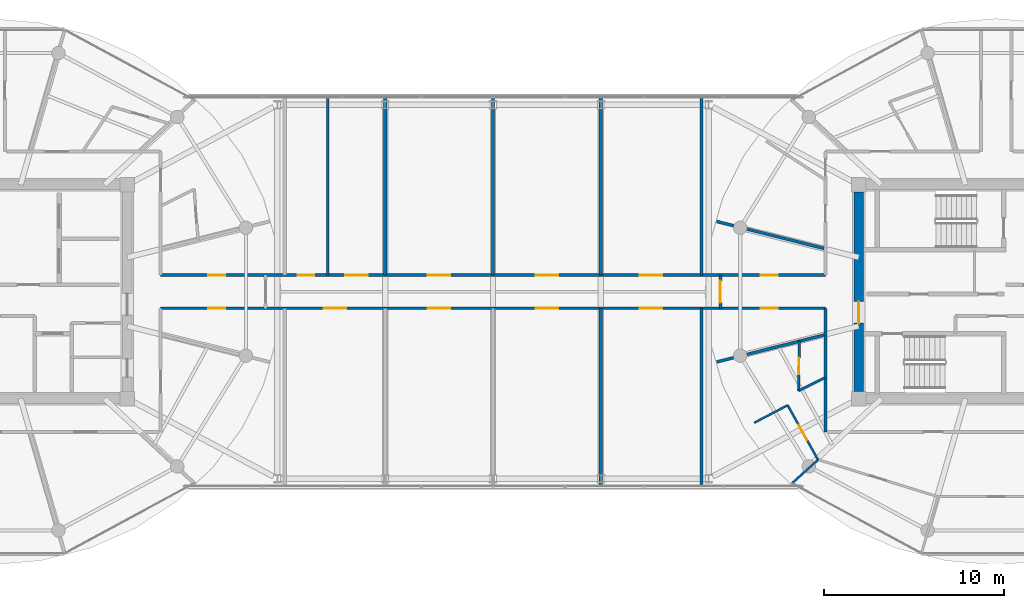
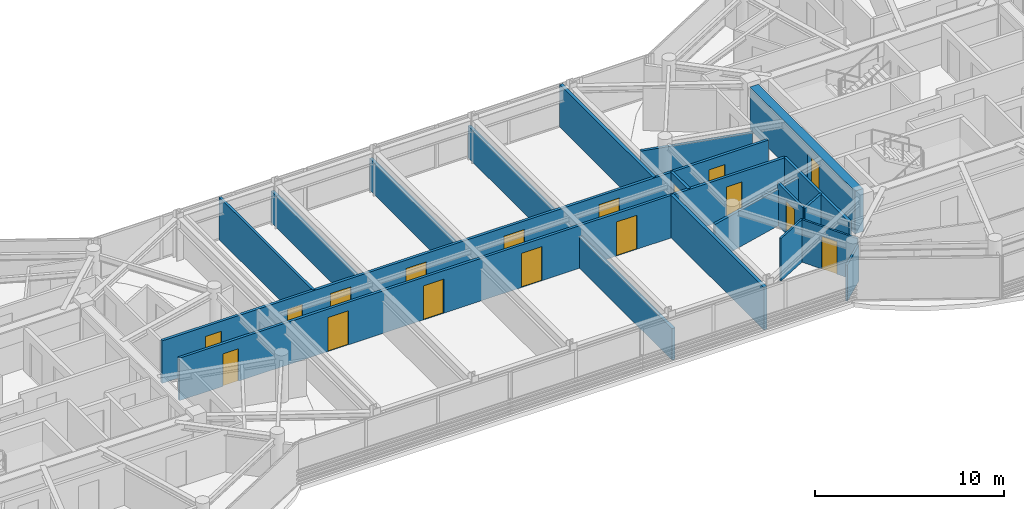
# One storey, part 17 of 23: 19 walls, 17 doors, 17 openings.
"""IFC4 building model written with IfcOpenShell, lengths in metres."""

from ifc_helpers import new_model, si_unit, direction, frame, frame_2d, origin, place, context, subcontext, project, spatial, rectangle, extrude, source, transform, mapped, material, layer, layer_set, type_object, type_shapes, element, fill, save


model = new_model("IFC4")

# Units and contexts
model_context = context("Model", 3, precision=1e-05, world=origin(), true_north=direction((0.0, 1.0)))
body_context = subcontext(model_context, "Body", "Model", "MODEL_VIEW")
ifc_project = project(units=[si_unit("LENGTHUNIT", "METRE"), si_unit("AREAUNIT", "SQUARE_METRE"), si_unit("VOLUMEUNIT", "CUBIC_METRE"), si_unit("PLANEANGLEUNIT", "RADIAN"), si_unit("MASSUNIT", "GRAM", prefix="KILO")], contexts=[model_context])

# Site, building, storey
site_placement = place(None, origin())
site = spatial("IfcSite", under=ifc_project, at=site_placement, CompositionType="ELEMENT")
building_placement = place(site_placement, origin())
building = spatial("IfcBuilding", under=site, at=building_placement, Name="Norrkilde Senior Care Towers", CompositionType="ELEMENT")
storey_placement = place(building_placement, frame((0.0, 0.0, 207.800048828125)))
storey = spatial("IfcBuildingStorey", under=building, at=storey_placement, Name="L64", CompositionType="ELEMENT", Elevation=207.800048828125)

# Wall, opening, door
ifc_material_1 = material(Name="Concrete C50/60", Category="concrete")
ifc_layer_1 = layer(ifc_material_1, 0.52001953125)
ifc_layer_set_1 = layer_set([ifc_layer_1], Name="Concrete C50/60")
wall_type_1 = type_object("IfcWallType", Name="Core Shear Wall Z4 520", PredefinedType="SHEAR", material=ifc_layer_set_1)
shared_shape_1 = source(origin(), body_context, "Body", "SweptSolid", [
    extrude(rectangle(XDim=11.10009765625, YDim=0.52001953125, at=frame_2d((5.550048828125, 0.0))), origin(), (0.0, 0.0, 1.0), 2.760009765625),
])
type_shapes(wall_type_1, [shared_shape_1])
wall_1_placement = place(storey_placement, frame((20.35009765625, -5.550048828125, 0.0), z_axis=(0.0, 0.0, 1.0), x_axis=(0.0, 1.0, 0.0)))
wall_1 = element("IfcWall", 1, at=wall_1_placement, inside=storey, type_object=wall_type_1, Name="L64 Core E West Shear Wall", PredefinedType="SHEAR", context=body_context, shape_type="MappedRepresentation", body=[
    mapped(shared_shape_1, transform((0.0, 0.0, 0.0), x_axis=(1.0, 0.0, 0.0), y_axis=(0.0, 1.0, 0.0), z_axis=(0.0, 0.0, 1.0), scale=1.0)),
])
opening_1_placement = place(wall_1_placement, frame((3.800048828125, 0.0, 0.0)))
opening_1 = element("IfcOpeningElement", 2, at=opening_1_placement, cuts=wall_1, Name="Opening D-04", PredefinedType="OPENING", context=body_context, shape_type="SweptSolid", body=[
    extrude(rectangle(XDim=1.199951171875, YDim=2.14990234375, at=frame_2d((0.60009765625, 1.074951171875))), frame((0.0, 0.27001953125, 0.0), z_axis=(0.0, -1.0, 0.0), x_axis=(1.0, 0.0, 0.0)), (0.0, 0.0, 1.0), 0.5400390625),
])
ifc_material_2 = material(Name="Galvanised Painted Steel", Category="steel")
door_type_1 = type_object("IfcDoorType", Name="Firefighting Lobby Fire Door 1200x2150", OperationType="NOTDEFINED", PredefinedType="DOOR", material=ifc_material_2)
shared_shape_2 = source(origin(), body_context, "Body", "SweptSolid", [
    extrude(rectangle(XDim=1.199951171875, YDim=2.14990234375, at=frame_2d((0.60009765625, 1.074951171875))), frame((0.0, 0.02490234375, 0.0), z_axis=(0.0, -1.0, 0.0), x_axis=(1.0, 0.0, 0.0)), (0.0, 0.0, 1.0), 0.050048828125),
])
type_shapes(door_type_1, [shared_shape_2])
door_1_placement = place(opening_1_placement, frame((1.199951171875, 0.0, 0.0), z_axis=(0.0, 0.0, 1.0), x_axis=(-1.0, 0.0, 0.0)))
door_1 = element("IfcDoor", 3, at=door_1_placement, inside=storey, type_object=door_type_1, Name="L64 Core E West Portal Door", OperationType="SINGLE_SWING_LEFT", OverallHeight=2.14990234375, OverallWidth=1.199951171875, PredefinedType="DOOR", context=body_context, shape_type="MappedRepresentation", body=[
    mapped(shared_shape_2, transform((0.0, 0.0, 0.0), x_axis=(1.0, 0.0, 0.0), y_axis=(0.0, 1.0, 0.0), z_axis=(0.0, 0.0, 1.0), scale=1.0)),
])
fill(opening_1, door_1)

# Walls
ifc_material_3 = material(Name="Gypsum Acoustic Board")
ifc_layer_2 = layer(ifc_material_3, 0.1650390625)
ifc_layer_set_2 = layer_set([ifc_layer_2], Name="Gypsum Acoustic Board")
wall_type_2 = type_object("IfcWallType", Name="Corridor Rated Partition 165", PredefinedType="PARTITIONING", material=ifc_layer_set_2)
shared_shape_3 = source(origin(), body_context, "Body", "SweptSolid", [
    extrude(rectangle(XDim=6.1572265625, YDim=0.1650390625, at=frame_2d((3.07861328125, 0.0))), origin(), (0.0, 0.0, 1.0), 2.344970703125),
])
for number, where, z_axis, x_axis, name in (
    (4, (18.419921875, 2.407470703125, 0.0), (0.0, 0.0, 1.0), (-0.969840867184, 0.243738984038, 0.0), "WL-INT-L64-E-DEM-05-0"),
    (5, (18.419921875, -2.407470703125, 0.0), (0.0, 0.0, 1.0), (-0.969840867184, -0.243738984038, 0.0), "WL-INT-L64-E-DEM-06-0"),
):
    element("IfcWall", number, at=place(storey_placement, frame(where, z_axis=z_axis, x_axis=x_axis)), inside=storey, type_object=wall_type_2, Name=name, PredefinedType="PARTITIONING", context=body_context, shape_type="MappedRepresentation", body=[
        mapped(shared_shape_3, transform((0.0, 0.0, 0.0), x_axis=(1.0, 0.0, 0.0), y_axis=(0.0, 1.0, 0.0), z_axis=(0.0, 0.0, 1.0), scale=1.0)),
    ])
shared_shape_4 = source(origin(), body_context, "Body", "SweptSolid", [
    extrude(rectangle(XDim=6.880126953125, YDim=0.1650390625, at=frame_2d((3.43994140625, 0.0))), origin(), (0.0, 0.0, 1.0), 2.744873046875),
])
wall_2_placement = place(storey_placement, frame((18.5, -7.800048828125, 0.0), z_axis=(0.0, 0.0, 1.0), x_axis=(0.0, 1.0, 0.0)))
element("IfcWall", 6, at=wall_2_placement, inside=storey, type_object=wall_type_2, Name="WL-INT-L64-E-CRW-W-0", PredefinedType="PARTITIONING", context=body_context, shape_type="MappedRepresentation", body=[
    mapped(shared_shape_4, transform((0.0, 0.0, 0.0), x_axis=(1.0, 0.0, 0.0), y_axis=(0.0, 1.0, 0.0), z_axis=(0.0, 0.0, 1.0), scale=1.0)),
])
ifc_layer_3 = layer(ifc_material_3, 0.114990234375)
ifc_layer_set_3 = layer_set([ifc_layer_3], Name="Gypsum Acoustic Board")
wall_type_3 = type_object("IfcWallType", Name="Internal Room Partition 115", PredefinedType="PARTITIONING", material=ifc_layer_set_3)
shared_shape_5 = source(origin(), body_context, "Body", "SweptSolid", [
    extrude(rectangle(XDim=1.98828125, YDim=0.114990234375, at=frame_2d((0.994140625, 0.0))), origin(), (0.0, 0.0, 1.0), 2.344970703125),
])
wall_3_placement = place(storey_placement, frame((18.0908203125, -9.34423828125, 0.0), z_axis=(0.0, 0.0, 1.0), x_axis=(-0.741992301729, -0.670408401033, 0.0)))
element("IfcWall", 7, at=wall_3_placement, inside=storey, type_object=wall_type_3, Name="WL-INT-L64-E-UBR-06-1", PredefinedType="PARTITIONING", context=body_context, shape_type="MappedRepresentation", body=[
    mapped(shared_shape_5, transform((0.0, 0.0, 0.0), x_axis=(1.0, 0.0, 0.0), y_axis=(0.0, 1.0, 0.0), z_axis=(0.0, 0.0, 1.0), scale=1.0)),
])
ifc_layer_4 = layer(ifc_material_3, 0.139892578125)
ifc_layer_set_4 = layer_set([ifc_layer_4], Name="Gypsum Acoustic Board")
wall_type_4 = type_object("IfcWallType", Name="En-suite Wet Room Wall 140", PredefinedType="PARTITIONING", material=ifc_layer_set_4)
shared_shape_6 = source(origin(), body_context, "Body", "SweptSolid", [
    extrude(rectangle(XDim=1.638427734375, YDim=0.139892578125, at=frame_2d((0.8193359375, 0.0))), origin(), (0.0, 0.0, 1.0), 2.744873046875),
])
wall_4_placement = place(storey_placement, frame((18.469970703125, -4.7783203125, 0.0), z_axis=(0.0, 0.0, 1.0), x_axis=(-0.893919977945, -0.448226586707, 0.0)))
element("IfcWall", 8, at=wall_4_placement, inside=storey, type_object=wall_type_4, Name="WL-INT-L64-E-UBTS-06", PredefinedType="PARTITIONING", context=body_context, shape_type="MappedRepresentation", body=[
    mapped(shared_shape_6, transform((0.0, 0.0, 0.0), x_axis=(1.0, 0.0, 0.0), y_axis=(0.0, 1.0, 0.0), z_axis=(0.0, 0.0, 1.0), scale=1.0)),
])

# Wall, opening, door
shared_shape_7 = source(origin(), body_context, "Body", "SweptSolid", [
    extrude(rectangle(XDim=2.7587890625, YDim=0.139892578125, at=frame_2d((1.37939453125, 0.0))), origin(), (0.0, 0.0, 1.0), 2.744873046875),
])
wall_5_placement = place(storey_placement, frame((17.00537109375, -5.5126953125, 0.0), z_axis=(0.0, 0.0, 1.0), x_axis=(0.01194710728, 0.999928630767, 0.0)))
wall_5 = element("IfcWall", 9, at=wall_5_placement, inside=storey, type_object=wall_type_4, Name="WL-INT-L64-E-UBTF-06", PredefinedType="PARTITIONING", context=body_context, shape_type="MappedRepresentation", body=[
    mapped(shared_shape_7, transform((0.0, 0.0, 0.0), x_axis=(1.0, 0.0, 0.0), y_axis=(0.0, 1.0, 0.0), z_axis=(0.0, 0.0, 1.0), scale=1.0)),
])
opening_2_placement = place(wall_5_placement, frame((0.91943359375, 0.0, 0.0)))
opening_2 = element("IfcOpeningElement", 10, at=opening_2_placement, cuts=wall_5, Name="Opening D-08", PredefinedType="OPENING", context=body_context, shape_type="SweptSolid", body=[
    extrude(rectangle(XDim=0.919921875, YDim=2.10009765625, at=frame_2d((0.4599609375, 1.050048828125))), frame((0.0, 0.079833984375, 0.0), z_axis=(0.0, -1.0, 0.0), x_axis=(1.0, 0.0, 0.0)), (0.0, 0.0, 1.0), 0.159912109375),
])
ifc_material_4 = material(Name="Nordic Ash Timber", Category="wood")
door_type_2 = type_object("IfcDoorType", Name="Accessible Wet Room Door 920x2100", OperationType="NOTDEFINED", PredefinedType="DOOR", material=ifc_material_4)
shared_shape_8 = source(origin(), body_context, "Body", "SweptSolid", [
    extrude(rectangle(XDim=0.919921875, YDim=2.10009765625, at=frame_2d((0.4599609375, 1.050048828125))), frame((0.0, 0.02490234375, 0.0), z_axis=(0.0, -1.0, 0.0), x_axis=(1.0, 0.0, 0.0)), (0.0, 0.0, 1.0), 0.050048828125),
])
type_shapes(door_type_2, [shared_shape_8])
door_2_placement = place(opening_2_placement, origin())
door_2 = element("IfcDoor", 11, at=door_2_placement, inside=storey, type_object=door_type_2, Name="Apartment 64E Bathroom Door", OperationType="SINGLE_SWING_RIGHT", OverallHeight=2.10009765625, OverallWidth=0.919921875, PredefinedType="DOOR", context=body_context, shape_type="MappedRepresentation", body=[
    mapped(shared_shape_8, transform((0.0, 0.0, 0.0), x_axis=(1.0, 0.0, 0.0), y_axis=(0.0, 1.0, 0.0), z_axis=(0.0, 0.0, 1.0), scale=1.0)),
])
fill(opening_2, door_2)

# Wall
shared_shape_9 = source(origin(), body_context, "Body", "SweptSolid", [
    extrude(rectangle(XDim=2.10400390625, YDim=0.114990234375, at=frame_2d((1.052001953125, 0.0))), origin(), (0.0, 0.0, 1.0), 2.744873046875),
])
wall_6_placement = place(storey_placement, frame((16.396240234375, -6.3173828125, 0.0), z_axis=(0.0, 0.0, 1.0), x_axis=(-0.886060817493, -0.463569010724, 0.0)))
element("IfcWall", 12, at=wall_6_placement, inside=storey, type_object=wall_type_3, Name="WL-INT-L64-E-UKTS-06", PredefinedType="PARTITIONING", context=body_context, shape_type="MappedRepresentation", body=[
    mapped(shared_shape_9, transform((0.0, 0.0, 0.0), x_axis=(1.0, 0.0, 0.0), y_axis=(0.0, 1.0, 0.0), z_axis=(0.0, 0.0, 1.0), scale=1.0)),
])

# Wall, opening, door
shared_shape_10 = source(origin(), body_context, "Body", "SweptSolid", [
    extrude(rectangle(XDim=3.4716796875, YDim=0.114990234375, at=frame_2d((1.73583984375, 0.0))), origin(), (0.0, 0.0, 1.0), 2.744873046875),
])
type_shapes(wall_type_3, [shared_shape_5, shared_shape_9, shared_shape_10])
wall_7_placement = place(storey_placement, frame((16.396240234375, -6.3173828125, 0.0), z_axis=(0.0, 0.0, 1.0), x_axis=(0.485804139346, -0.874067696574, 0.0)))
wall_7 = element("IfcWall", 13, at=wall_7_placement, inside=storey, type_object=wall_type_3, Name="WL-INT-L64-E-UKTF-06", PredefinedType="PARTITIONING", context=body_context, shape_type="MappedRepresentation", body=[
    mapped(shared_shape_10, transform((0.0, 0.0, 0.0), x_axis=(1.0, 0.0, 0.0), y_axis=(0.0, 1.0, 0.0), z_axis=(0.0, 0.0, 1.0), scale=1.0)),
])
opening_3_placement = place(wall_7_placement, frame((1.2607421875, 0.0, 0.0)))
opening_3 = element("IfcOpeningElement", 14, at=opening_3_placement, cuts=wall_7, Name="Opening D-07", PredefinedType="OPENING", context=body_context, shape_type="SweptSolid", body=[
    extrude(rectangle(XDim=0.949951171875, YDim=2.10009765625, at=frame_2d((0.47509765625, 1.050048828125))), frame((0.0, 0.0673828125, 0.0), z_axis=(0.0, -1.0, 0.0), x_axis=(1.0, 0.0, 0.0)), (0.0, 0.0, 1.0), 0.135009765625),
])
door_type_3 = type_object("IfcDoorType", Name="Internal Suite Bedroom Door 950x2100", OperationType="NOTDEFINED", PredefinedType="DOOR", material=ifc_material_4)
shared_shape_11 = source(origin(), body_context, "Body", "SweptSolid", [
    extrude(rectangle(XDim=0.949951171875, YDim=2.10009765625, at=frame_2d((0.47509765625, 1.050048828125))), frame((0.0, 0.02490234375, 0.0), z_axis=(0.0, -1.0, 0.0), x_axis=(1.0, 0.0, 0.0)), (0.0, 0.0, 1.0), 0.050048828125),
])
type_shapes(door_type_3, [shared_shape_11])
door_3_placement = place(opening_3_placement, frame((0.949951171875, 0.0, 0.0), z_axis=(0.0, 0.0, 1.0), x_axis=(-1.0, 0.0, 0.0)))
door_3 = element("IfcDoor", 15, at=door_3_placement, inside=storey, type_object=door_type_3, Name="Apartment 64E Kitchen Door", OperationType="SINGLE_SWING_LEFT", OverallHeight=2.10009765625, OverallWidth=0.949951171875, PredefinedType="DOOR", context=body_context, shape_type="MappedRepresentation", body=[
    mapped(shared_shape_11, transform((0.0, 0.0, 0.0), x_axis=(1.0, 0.0, 0.0), y_axis=(0.0, 1.0, 0.0), z_axis=(0.0, 0.0, 1.0), scale=1.0)),
])
fill(opening_3, door_3)

shared_shape_12 = source(origin(), body_context, "Body", "SweptSolid", [
    extrude(rectangle(XDim=1.83984375, YDim=0.1650390625, at=frame_2d((0.919921875, 0.0))), origin(), (0.0, 0.0, 1.0), 2.744873046875),
])
wall_8_placement = place(storey_placement, frame((12.64990234375, -0.919921875, 0.0), z_axis=(0.0, 0.0, 1.0), x_axis=(0.0, 1.0, 0.0)))
wall_8 = element("IfcWall", 16, at=wall_8_placement, inside=storey, type_object=wall_type_2, Name="WL-INT-L64-BR-GE", PredefinedType="PARTITIONING", context=body_context, shape_type="MappedRepresentation", body=[
    mapped(shared_shape_12, transform((0.0, 0.0, 0.0), x_axis=(1.0, 0.0, 0.0), y_axis=(0.0, 1.0, 0.0), z_axis=(0.0, 0.0, 1.0), scale=1.0)),
])
opening_4_placement = place(wall_8_placement, frame((0.320068359375, 0.0, 0.0)))
opening_4 = element("IfcOpeningElement", 17, at=opening_4_placement, cuts=wall_8, Name="Opening D-04", PredefinedType="OPENING", context=body_context, shape_type="SweptSolid", body=[
    extrude(rectangle(XDim=1.199951171875, YDim=2.14990234375, at=frame_2d((0.60009765625, 1.074951171875))), frame((0.0, 0.092529296875, 0.0), z_axis=(0.0, -1.0, 0.0), x_axis=(1.0, 0.0, 0.0)), (0.0, 0.0, 1.0), 0.18505859375),
])
door_4_placement = place(opening_4_placement, origin())
door_4 = element("IfcDoor", 18, at=door_4_placement, inside=storey, type_object=door_type_1, Name="L64 Sky-Gate Bridge GE Fire Door", OperationType="SINGLE_SWING_RIGHT", OverallHeight=2.14990234375, OverallWidth=1.199951171875, PredefinedType="DOOR", context=body_context, shape_type="MappedRepresentation", body=[
    mapped(shared_shape_2, transform((0.0, 0.0, 0.0), x_axis=(1.0, 0.0, 0.0), y_axis=(0.0, 1.0, 0.0), z_axis=(0.0, 0.0, 1.0), scale=1.0)),
])
fill(opening_4, door_4)

# Wall, openings, doors
shared_shape_13 = source(origin(), body_context, "Body", "SweptSolid", [
    extrude(rectangle(XDim=37.0, YDim=0.1650390625, at=frame_2d((18.5, 0.0))), origin(), (0.0, 0.0, 1.0), 2.744873046875),
])
type_shapes(wall_type_2, [shared_shape_3, shared_shape_4, shared_shape_12, shared_shape_13])
wall_9_placement = place(storey_placement, frame((-18.5, -0.919921875, 0.0), z_axis=(0.0, 0.0, 1.0), x_axis=(1.0, 0.0, 0.0)))
wall_9 = element("IfcWall", 19, at=wall_9_placement, inside=storey, type_object=wall_type_2, Name="WL-INT-L64-BR-CS", PredefinedType="PARTITIONING", context=body_context, shape_type="MappedRepresentation", body=[
    mapped(shared_shape_13, transform((0.0, 0.0, 0.0), x_axis=(1.0, 0.0, 0.0), y_axis=(0.0, 1.0, 0.0), z_axis=(0.0, 0.0, 1.0), scale=1.0)),
])
opening_5_placement = place(wall_9_placement, frame((2.66162109375, 0.0, 0.0)))
opening_5 = element("IfcOpeningElement", 20, at=opening_5_placement, cuts=wall_9, Name="Opening D-07", PredefinedType="OPENING", context=body_context, shape_type="SweptSolid", body=[
    extrude(rectangle(XDim=0.949951171875, YDim=2.10009765625, at=frame_2d((0.47509765625, 1.050048828125))), frame((0.0, 0.092529296875, 0.0), z_axis=(0.0, -1.0, 0.0), x_axis=(1.0, 0.0, 0.0)), (0.0, 0.0, 1.0), 0.18505859375),
])
opening_6_placement = place(wall_9_placement, frame((33.38818359375, 0.0, 0.0)))
opening_6 = element("IfcOpeningElement", 21, at=opening_6_placement, cuts=wall_9, Name="Opening D-07", PredefinedType="OPENING", context=body_context, shape_type="SweptSolid", body=[
    extrude(rectangle(XDim=0.949951171875, YDim=2.10009765625, at=frame_2d((0.47509765625, 1.050048828125))), frame((0.0, 0.092529296875, 0.0), z_axis=(0.0, -1.0, 0.0), x_axis=(1.0, 0.0, 0.0)), (0.0, 0.0, 1.0), 0.18505859375),
])
opening_7_placement = place(wall_9_placement, frame((9.074951171875, 0.0, 0.0)))
opening_7 = element("IfcOpeningElement", 22, at=opening_7_placement, cuts=wall_9, Name="Opening D-05", PredefinedType="OPENING", context=body_context, shape_type="SweptSolid", body=[
    extrude(rectangle(XDim=1.25, YDim=2.199951171875, at=frame_2d((0.625, 1.10009765625))), frame((0.0, 0.092529296875, 0.0), z_axis=(0.0, -1.0, 0.0), x_axis=(1.0, 0.0, 0.0)), (0.0, 0.0, 1.0), 0.18505859375),
])
opening_8_placement = place(wall_9_placement, frame((14.875, 0.0, 0.0)))
opening_8 = element("IfcOpeningElement", 23, at=opening_8_placement, cuts=wall_9, Name="Opening D-05", PredefinedType="OPENING", context=body_context, shape_type="SweptSolid", body=[
    extrude(rectangle(XDim=1.25, YDim=2.199951171875, at=frame_2d((0.625, 1.10009765625))), frame((0.0, 0.092529296875, 0.0), z_axis=(0.0, -1.0, 0.0), x_axis=(1.0, 0.0, 0.0)), (0.0, 0.0, 1.0), 0.18505859375),
])
opening_9_placement = place(wall_9_placement, frame((20.875, 0.0, 0.0)))
opening_9 = element("IfcOpeningElement", 24, at=opening_9_placement, cuts=wall_9, Name="Opening D-05", PredefinedType="OPENING", context=body_context, shape_type="SweptSolid", body=[
    extrude(rectangle(XDim=1.25, YDim=2.199951171875, at=frame_2d((0.625, 1.10009765625))), frame((0.0, 0.092529296875, 0.0), z_axis=(0.0, -1.0, 0.0), x_axis=(1.0, 0.0, 0.0)), (0.0, 0.0, 1.0), 0.18505859375),
])
opening_10_placement = place(wall_9_placement, frame((26.675048828125, 0.0, 0.0)))
opening_10 = element("IfcOpeningElement", 25, at=opening_10_placement, cuts=wall_9, Name="Opening D-05", PredefinedType="OPENING", context=body_context, shape_type="SweptSolid", body=[
    extrude(rectangle(XDim=1.25, YDim=2.199951171875, at=frame_2d((0.625, 1.10009765625))), frame((0.0, 0.092529296875, 0.0), z_axis=(0.0, -1.0, 0.0), x_axis=(1.0, 0.0, 0.0)), (0.0, 0.0, 1.0), 0.18505859375),
])
door_type_4 = type_object("IfcDoorType", Name="Care Bedroom Bariatric Door 1250x2200", OperationType="NOTDEFINED", PredefinedType="DOOR", material=ifc_material_4)
shared_shape_14 = source(origin(), body_context, "Body", "SweptSolid", [
    extrude(rectangle(XDim=1.25, YDim=2.199951171875, at=frame_2d((0.625, 1.10009765625))), frame((0.0, 0.02490234375, 0.0), z_axis=(0.0, -1.0, 0.0), x_axis=(1.0, 0.0, 0.0)), (0.0, 0.0, 1.0), 0.050048828125),
])
type_shapes(door_type_4, [shared_shape_14])
door_5_placement = place(opening_7_placement, origin())
door_5 = element("IfcDoor", 26, at=door_5_placement, inside=storey, type_object=door_type_4, Name="L64 Bridge South Room 1 Door", OperationType="SINGLE_SWING_LEFT", OverallHeight=2.199951171875, OverallWidth=1.25, PredefinedType="DOOR", context=body_context, shape_type="MappedRepresentation", body=[
    mapped(shared_shape_14, transform((0.0, 0.0, 0.0), x_axis=(1.0, 0.0, 0.0), y_axis=(0.0, 1.0, 0.0), z_axis=(0.0, 0.0, 1.0), scale=1.0)),
])
fill(opening_7, door_5)
door_6_placement = place(opening_8_placement, origin())
door_6 = element("IfcDoor", 27, at=door_6_placement, inside=storey, type_object=door_type_4, Name="L64 Bridge South Room 2 Door", OperationType="SINGLE_SWING_RIGHT", OverallHeight=2.199951171875, OverallWidth=1.25, PredefinedType="DOOR", context=body_context, shape_type="MappedRepresentation", body=[
    mapped(shared_shape_14, transform((0.0, 0.0, 0.0), x_axis=(1.0, 0.0, 0.0), y_axis=(0.0, 1.0, 0.0), z_axis=(0.0, 0.0, 1.0), scale=1.0)),
])
fill(opening_8, door_6)
door_7_placement = place(opening_9_placement, origin())
door_7 = element("IfcDoor", 28, at=door_7_placement, inside=storey, type_object=door_type_4, Name="L64 Bridge South Room 3 Door", OperationType="SINGLE_SWING_LEFT", OverallHeight=2.199951171875, OverallWidth=1.25, PredefinedType="DOOR", context=body_context, shape_type="MappedRepresentation", body=[
    mapped(shared_shape_14, transform((0.0, 0.0, 0.0), x_axis=(1.0, 0.0, 0.0), y_axis=(0.0, 1.0, 0.0), z_axis=(0.0, 0.0, 1.0), scale=1.0)),
])
fill(opening_9, door_7)
door_8_placement = place(opening_10_placement, origin())
door_8 = element("IfcDoor", 29, at=door_8_placement, inside=storey, type_object=door_type_4, Name="L64 Bridge South Room 4 Door", OperationType="SINGLE_SWING_RIGHT", OverallHeight=2.199951171875, OverallWidth=1.25, PredefinedType="DOOR", context=body_context, shape_type="MappedRepresentation", body=[
    mapped(shared_shape_14, transform((0.0, 0.0, 0.0), x_axis=(1.0, 0.0, 0.0), y_axis=(0.0, 1.0, 0.0), z_axis=(0.0, 0.0, 1.0), scale=1.0)),
])
fill(opening_10, door_8)
door_9_placement = place(opening_5_placement, frame((0.949951171875, 0.0, 0.0), z_axis=(0.0, 0.0, 1.0), x_axis=(-1.0, 0.0, 0.0)))
door_9 = element("IfcDoor", 30, at=door_9_placement, inside=storey, type_object=door_type_3, Name="L64 Sun Reading Lounge 5 Door", OperationType="SINGLE_SWING_RIGHT", OverallHeight=2.10009765625, OverallWidth=0.949951171875, PredefinedType="DOOR", context=body_context, shape_type="MappedRepresentation", body=[
    mapped(shared_shape_11, transform((0.0, 0.0, 0.0), x_axis=(1.0, 0.0, 0.0), y_axis=(0.0, 1.0, 0.0), z_axis=(0.0, 0.0, 1.0), scale=1.0)),
])
fill(opening_5, door_9)
door_10_placement = place(opening_6_placement, frame((0.949951171875, 0.0, 0.0), z_axis=(0.0, 0.0, 1.0), x_axis=(-1.0, 0.0, 0.0)))
door_10 = element("IfcDoor", 31, at=door_10_placement, inside=storey, type_object=door_type_3, Name="L64 Sun Reading Lounge 1 Door", OperationType="SINGLE_SWING_RIGHT", OverallHeight=2.10009765625, OverallWidth=0.949951171875, PredefinedType="DOOR", context=body_context, shape_type="MappedRepresentation", body=[
    mapped(shared_shape_11, transform((0.0, 0.0, 0.0), x_axis=(1.0, 0.0, 0.0), y_axis=(0.0, 1.0, 0.0), z_axis=(0.0, 0.0, 1.0), scale=1.0)),
])
fill(opening_6, door_10)

wall_10_placement = place(storey_placement, frame((-18.5, 0.919921875, 0.0), z_axis=(0.0, 0.0, 1.0), x_axis=(1.0, 0.0, 0.0)))
wall_10 = element("IfcWall", 32, at=wall_10_placement, inside=storey, type_object=wall_type_2, Name="WL-INT-L64-BR-CN", PredefinedType="PARTITIONING", context=body_context, shape_type="MappedRepresentation", body=[
    mapped(shared_shape_13, transform((0.0, 0.0, 0.0), x_axis=(1.0, 0.0, 0.0), y_axis=(0.0, 1.0, 0.0), z_axis=(0.0, 0.0, 1.0), scale=1.0)),
])
opening_11_placement = place(wall_10_placement, frame((2.66162109375, 0.0, 0.0)))
opening_11 = element("IfcOpeningElement", 33, at=opening_11_placement, cuts=wall_10, Name="Opening D-07", PredefinedType="OPENING", context=body_context, shape_type="SweptSolid", body=[
    extrude(rectangle(XDim=0.949951171875, YDim=2.10009765625, at=frame_2d((0.47509765625, 1.050048828125))), frame((0.0, 0.092529296875, 0.0), z_axis=(0.0, -1.0, 0.0), x_axis=(1.0, 0.0, 0.0)), (0.0, 0.0, 1.0), 0.18505859375),
])
opening_12_placement = place(wall_10_placement, frame((33.38818359375, 0.0, 0.0)))
opening_12 = element("IfcOpeningElement", 34, at=opening_12_placement, cuts=wall_10, Name="Opening D-07", PredefinedType="OPENING", context=body_context, shape_type="SweptSolid", body=[
    extrude(rectangle(XDim=0.949951171875, YDim=2.10009765625, at=frame_2d((0.47509765625, 1.050048828125))), frame((0.0, 0.092529296875, 0.0), z_axis=(0.0, -1.0, 0.0), x_axis=(1.0, 0.0, 0.0)), (0.0, 0.0, 1.0), 0.18505859375),
])
opening_13_placement = place(wall_10_placement, frame((7.639892578125, 0.0, 0.0)))
opening_13 = element("IfcOpeningElement", 35, at=opening_13_placement, cuts=wall_10, Name="Opening D-08", PredefinedType="OPENING", context=body_context, shape_type="SweptSolid", body=[
    extrude(rectangle(XDim=0.919921875, YDim=2.10009765625, at=frame_2d((0.4599609375, 1.050048828125))), frame((0.0, 0.092529296875, 0.0), z_axis=(0.0, -1.0, 0.0), x_axis=(1.0, 0.0, 0.0)), (0.0, 0.0, 1.0), 0.18505859375),
])
opening_14_placement = place(wall_10_placement, frame((10.27490234375, 0.0, 0.0)))
opening_14 = element("IfcOpeningElement", 36, at=opening_14_placement, cuts=wall_10, Name="Opening D-05", PredefinedType="OPENING", context=body_context, shape_type="SweptSolid", body=[
    extrude(rectangle(XDim=1.25, YDim=2.199951171875, at=frame_2d((0.625, 1.10009765625))), frame((0.0, 0.092529296875, 0.0), z_axis=(0.0, -1.0, 0.0), x_axis=(1.0, 0.0, 0.0)), (0.0, 0.0, 1.0), 0.18505859375),
])
opening_15_placement = place(wall_10_placement, frame((14.875, 0.0, 0.0)))
opening_15 = element("IfcOpeningElement", 37, at=opening_15_placement, cuts=wall_10, Name="Opening D-05", PredefinedType="OPENING", context=body_context, shape_type="SweptSolid", body=[
    extrude(rectangle(XDim=1.25, YDim=2.199951171875, at=frame_2d((0.625, 1.10009765625))), frame((0.0, 0.092529296875, 0.0), z_axis=(0.0, -1.0, 0.0), x_axis=(1.0, 0.0, 0.0)), (0.0, 0.0, 1.0), 0.18505859375),
])
opening_16_placement = place(wall_10_placement, frame((20.875, 0.0, 0.0)))
opening_16 = element("IfcOpeningElement", 38, at=opening_16_placement, cuts=wall_10, Name="Opening D-05", PredefinedType="OPENING", context=body_context, shape_type="SweptSolid", body=[
    extrude(rectangle(XDim=1.25, YDim=2.199951171875, at=frame_2d((0.625, 1.10009765625))), frame((0.0, 0.092529296875, 0.0), z_axis=(0.0, -1.0, 0.0), x_axis=(1.0, 0.0, 0.0)), (0.0, 0.0, 1.0), 0.18505859375),
])
opening_17_placement = place(wall_10_placement, frame((26.675048828125, 0.0, 0.0)))
opening_17 = element("IfcOpeningElement", 39, at=opening_17_placement, cuts=wall_10, Name="Opening D-05", PredefinedType="OPENING", context=body_context, shape_type="SweptSolid", body=[
    extrude(rectangle(XDim=1.25, YDim=2.199951171875, at=frame_2d((0.625, 1.10009765625))), frame((0.0, 0.092529296875, 0.0), z_axis=(0.0, -1.0, 0.0), x_axis=(1.0, 0.0, 0.0)), (0.0, 0.0, 1.0), 0.18505859375),
])
door_11_placement = place(opening_14_placement, frame((1.25, 0.0, 0.0), z_axis=(0.0, 0.0, 1.0), x_axis=(-1.0, 0.0, 0.0)))
door_11 = element("IfcDoor", 40, at=door_11_placement, inside=storey, type_object=door_type_4, Name="L64 Bridge North Clinic 1 Door", OperationType="SINGLE_SWING_RIGHT", OverallHeight=2.199951171875, OverallWidth=1.25, PredefinedType="DOOR", context=body_context, shape_type="MappedRepresentation", body=[
    mapped(shared_shape_14, transform((0.0, 0.0, 0.0), x_axis=(1.0, 0.0, 0.0), y_axis=(0.0, 1.0, 0.0), z_axis=(0.0, 0.0, 1.0), scale=1.0)),
])
fill(opening_14, door_11)
door_12_placement = place(opening_15_placement, frame((1.25, 0.0, 0.0), z_axis=(0.0, 0.0, 1.0), x_axis=(-1.0, 0.0, 0.0)))
door_12 = element("IfcDoor", 41, at=door_12_placement, inside=storey, type_object=door_type_4, Name="L64 Bridge North Room 2 Door", OperationType="SINGLE_SWING_LEFT", OverallHeight=2.199951171875, OverallWidth=1.25, PredefinedType="DOOR", context=body_context, shape_type="MappedRepresentation", body=[
    mapped(shared_shape_14, transform((0.0, 0.0, 0.0), x_axis=(1.0, 0.0, 0.0), y_axis=(0.0, 1.0, 0.0), z_axis=(0.0, 0.0, 1.0), scale=1.0)),
])
fill(opening_15, door_12)
door_13_placement = place(opening_16_placement, frame((1.25, 0.0, 0.0), z_axis=(0.0, 0.0, 1.0), x_axis=(-1.0, 0.0, 0.0)))
door_13 = element("IfcDoor", 42, at=door_13_placement, inside=storey, type_object=door_type_4, Name="L64 Bridge North Room 3 Door", OperationType="SINGLE_SWING_RIGHT", OverallHeight=2.199951171875, OverallWidth=1.25, PredefinedType="DOOR", context=body_context, shape_type="MappedRepresentation", body=[
    mapped(shared_shape_14, transform((0.0, 0.0, 0.0), x_axis=(1.0, 0.0, 0.0), y_axis=(0.0, 1.0, 0.0), z_axis=(0.0, 0.0, 1.0), scale=1.0)),
])
fill(opening_16, door_13)
door_14_placement = place(opening_17_placement, frame((1.25, 0.0, 0.0), z_axis=(0.0, 0.0, 1.0), x_axis=(-1.0, 0.0, 0.0)))
door_14 = element("IfcDoor", 43, at=door_14_placement, inside=storey, type_object=door_type_4, Name="L64 Bridge North Room 4 Door", OperationType="SINGLE_SWING_LEFT", OverallHeight=2.199951171875, OverallWidth=1.25, PredefinedType="DOOR", context=body_context, shape_type="MappedRepresentation", body=[
    mapped(shared_shape_14, transform((0.0, 0.0, 0.0), x_axis=(1.0, 0.0, 0.0), y_axis=(0.0, 1.0, 0.0), z_axis=(0.0, 0.0, 1.0), scale=1.0)),
])
fill(opening_17, door_14)
door_15_placement = place(opening_13_placement, frame((0.919921875, 0.0, 0.0), z_axis=(0.0, 0.0, 1.0), x_axis=(-1.0, 0.0, 0.0)))
door_15 = element("IfcDoor", 44, at=door_15_placement, inside=storey, type_object=door_type_2, Name="L64 Bridge Accessible WC Door", OperationType="SINGLE_SWING_LEFT", OverallHeight=2.10009765625, OverallWidth=0.919921875, PredefinedType="DOOR", context=body_context, shape_type="MappedRepresentation", body=[
    mapped(shared_shape_8, transform((0.0, 0.0, 0.0), x_axis=(1.0, 0.0, 0.0), y_axis=(0.0, 1.0, 0.0), z_axis=(0.0, 0.0, 1.0), scale=1.0)),
])
fill(opening_13, door_15)
door_16_placement = place(opening_11_placement, frame((0.949951171875, 0.0, 0.0), z_axis=(0.0, 0.0, 1.0), x_axis=(-1.0, 0.0, 0.0)))
door_16 = element("IfcDoor", 45, at=door_16_placement, inside=storey, type_object=door_type_3, Name="L64 Sun Reading Lounge 6 Door", OperationType="SINGLE_SWING_LEFT", OverallHeight=2.10009765625, OverallWidth=0.949951171875, PredefinedType="DOOR", context=body_context, shape_type="MappedRepresentation", body=[
    mapped(shared_shape_11, transform((0.0, 0.0, 0.0), x_axis=(1.0, 0.0, 0.0), y_axis=(0.0, 1.0, 0.0), z_axis=(0.0, 0.0, 1.0), scale=1.0)),
])
fill(opening_11, door_16)
door_17_placement = place(opening_12_placement, frame((0.949951171875, 0.0, 0.0), z_axis=(0.0, 0.0, 1.0), x_axis=(-1.0, 0.0, 0.0)))
door_17 = element("IfcDoor", 46, at=door_17_placement, inside=storey, type_object=door_type_3, Name="L64 Sun Reading Lounge 2 Door", OperationType="SINGLE_SWING_LEFT", OverallHeight=2.10009765625, OverallWidth=0.949951171875, PredefinedType="DOOR", context=body_context, shape_type="MappedRepresentation", body=[
    mapped(shared_shape_11, transform((0.0, 0.0, 0.0), x_axis=(1.0, 0.0, 0.0), y_axis=(0.0, 1.0, 0.0), z_axis=(0.0, 0.0, 1.0), scale=1.0)),
])
fill(opening_12, door_17)

# Walls
ifc_layer_5 = layer(ifc_material_3, 0.18994140625)
ifc_layer_set_5 = layer_set([ifc_layer_5], Name="Gypsum Acoustic Board")
wall_type_5 = type_object("IfcWallType", Name="Unit Demising Acoustic Wall 190", PredefinedType="PARTITIONING", material=ifc_layer_set_5)
shared_shape_15 = source(origin(), body_context, "Body", "SweptSolid", [
    extrude(rectangle(XDim=9.880126953125, YDim=0.18994140625, at=frame_2d((4.93994140625, 0.0))), origin(), (0.0, 0.0, 1.0), 2.744873046875),
])
for number, where, z_axis, x_axis, name in (
    (47, (11.60009765625, -10.800048828125, 0.0), (0.0, 0.0, 1.0), (0.0, 1.0, 0.0), "WL-INT-L64-BR-ES+12"),
    (48, (11.60009765625, 0.919921875, 0.0), (0.0, 0.0, 1.0), (0.0, 1.0, 0.0), "WL-INT-L64-BR-EN+12"),
):
    element("IfcWall", number, at=place(storey_placement, frame(where, z_axis=z_axis, x_axis=x_axis)), inside=storey, type_object=wall_type_5, Name=name, PredefinedType="PARTITIONING", context=body_context, shape_type="MappedRepresentation", body=[
        mapped(shared_shape_15, transform((0.0, 0.0, 0.0), x_axis=(1.0, 0.0, 0.0), y_axis=(0.0, 1.0, 0.0), z_axis=(0.0, 0.0, 1.0), scale=1.0)),
    ])
shared_shape_16 = source(origin(), body_context, "Body", "SweptSolid", [
    extrude(rectangle(XDim=9.880126953125, YDim=0.18994140625, at=frame_2d((4.93994140625, 0.0))), origin(), (0.0, 0.0, 1.0), 2.044921875),
])
type_shapes(wall_type_5, [shared_shape_15, shared_shape_16])
for number, where, z_axis, x_axis, name in (
    (49, (-6.0, 0.919921875, 0.0), (0.0, 0.0, 1.0), (0.0, 1.0, 0.0), "WL-INT-L64-BR-VN1"),
    (50, (0.0, 0.919921875, 0.0), (0.0, 0.0, 1.0), (0.0, 1.0, 0.0), "WL-INT-L64-BR-VN2"),
    (51, (6.0, -10.800048828125, 0.0), (0.0, 0.0, 1.0), (0.0, 1.0, 0.0), "WL-INT-L64-BR-VS3"),
    (52, (6.0, 0.919921875, 0.0), (0.0, 0.0, 1.0), (0.0, 1.0, 0.0), "WL-INT-L64-BR-VN3"),
):
    element("IfcWall", number, at=place(storey_placement, frame(where, z_axis=z_axis, x_axis=x_axis)), inside=storey, type_object=wall_type_5, Name=name, PredefinedType="PARTITIONING", context=body_context, shape_type="MappedRepresentation", body=[
        mapped(shared_shape_16, transform((0.0, 0.0, 0.0), x_axis=(1.0, 0.0, 0.0), y_axis=(0.0, 1.0, 0.0), z_axis=(0.0, 0.0, 1.0), scale=1.0)),
    ])
shared_shape_17 = source(origin(), body_context, "Body", "SweptSolid", [
    extrude(rectangle(XDim=9.880126953125, YDim=0.139892578125, at=frame_2d((4.93994140625, 0.0))), origin(), (0.0, 0.0, 1.0), 2.744873046875),
])
type_shapes(wall_type_4, [shared_shape_6, shared_shape_7, shared_shape_17])
wall_11_placement = place(storey_placement, frame((-9.199951171875, 0.919921875, 0.0), z_axis=(0.0, 0.0, 1.0), x_axis=(0.0, 1.0, 0.0)))
element("IfcWall", 53, at=wall_11_placement, inside=storey, type_object=wall_type_4, Name="WL-INT-L64-BR-NWCV", PredefinedType="PARTITIONING", context=body_context, shape_type="MappedRepresentation", body=[
    mapped(shared_shape_17, transform((0.0, 0.0, 0.0), x_axis=(1.0, 0.0, 0.0), y_axis=(0.0, 1.0, 0.0), z_axis=(0.0, 0.0, 1.0), scale=1.0)),
])

save(model, "model.ifc")
